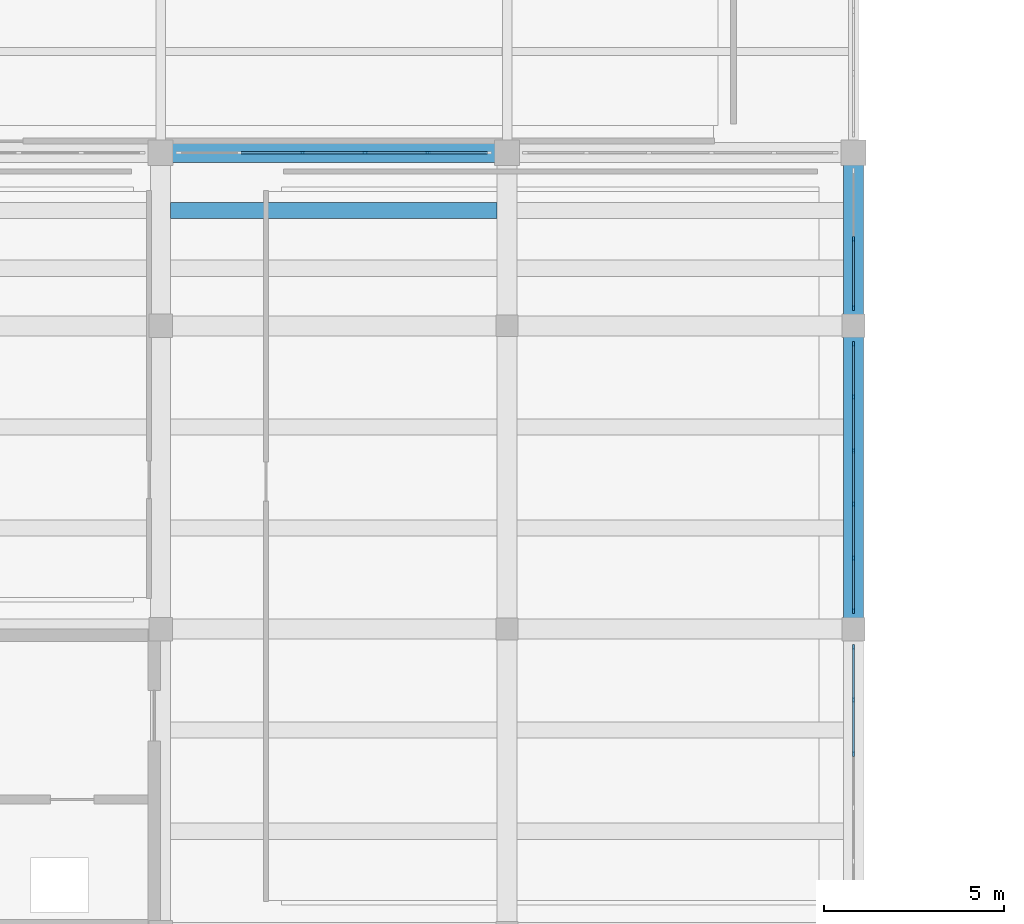
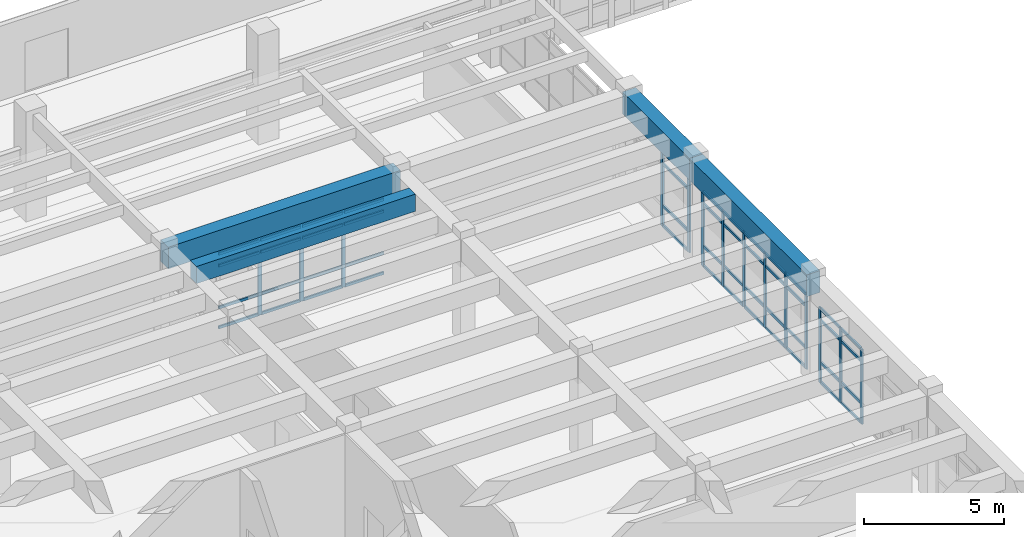
# One storey, part 21 of 86: 62 members, 4 beams, 4 elements without a shape of their own.
"""IFC4 building model written with IfcOpenShell, lengths in metres."""

from ifc_helpers import new_model, si_unit, direction, frame, origin, origin_2d, place, context, subcontext, project, spatial, rectangle, extrude, material, layer, layer_set, material_profile, profile_set, type_object, element, aggregate, save


model = new_model("IFC4")

# Units and contexts
model_context = context("Model", 3, precision=1e-05, world=origin(), true_north=direction((0.0, 1.0)))
body_context = subcontext(model_context, "Body", "Model", "MODEL_VIEW")
ifc_project = project(units=[si_unit("LENGTHUNIT", "METRE"), si_unit("AREAUNIT", "SQUARE_METRE"), si_unit("VOLUMEUNIT", "CUBIC_METRE"), si_unit("PLANEANGLEUNIT", "RADIAN"), si_unit("MASSUNIT", "GRAM", prefix="KILO")], contexts=[model_context])

# Site, building, storey
site_placement = place(None, origin())
site = spatial("IfcSite", under=ifc_project, at=site_placement, CompositionType="ELEMENT")
building_placement = place(site_placement, origin())
building = spatial("IfcBuilding", under=site, at=building_placement, Name="Kolvemor Railside Polytechnic", CompositionType="ELEMENT")
storey_placement = place(building_placement, frame((0.0, 0.0, 5.39990234375)))
storey = spatial("IfcBuildingStorey", under=building, at=storey_placement, Name="L01", CompositionType="ELEMENT", Elevation=5.39990234375)

# Beams
ifc_material_1 = material(Name="Concrete C40/50", Category="concrete")
ifc_material_profile_1 = material_profile(ifc_material_1, rectangle(XDim=0.550048828125, YDim=0.949951171875, at=origin_2d()), Name="RC550x950")
ifc_profile_set_1 = profile_set([ifc_material_profile_1], Name="Concrete C40/50")
beam_type_1 = type_object("IfcBeamType", Name="BM-RC-GIRD", PredefinedType="BEAM", material=ifc_profile_set_1)
beam_1_placement = place(storey_placement, frame((28.800048828125, 81.60009765625, 4.005126953125), z_axis=(1.0, 0.0, 0.0), x_axis=(0.0, 1.0, 0.0)))
element("IfcBeam", 1, at=beam_1_placement, inside=storey, type_object=beam_type_1, Name="Primary Girder L02-GX 0606", PredefinedType="BEAM", context=body_context, shape_type="SweptSolid", body=[
    extrude(rectangle(XDim=0.550048828125, YDim=0.949951171875, at=origin_2d()), origin(), (0.0, 0.0, 1.0), 9.599853515625),
])
beam_2_placement = place(storey_placement, frame((48.0, 68.39990234375, 4.005126953125), z_axis=(0.0, 1.0, 0.0), x_axis=(-1.0, 0.0, 0.0)))
element("IfcBeam", 2, at=beam_2_placement, inside=storey, type_object=beam_type_1, Name="Primary Girder L02-GY 0660", PredefinedType="BEAM", context=body_context, shape_type="SweptSolid", body=[
    extrude(rectangle(XDim=0.550048828125, YDim=0.949951171875, at=origin_2d()), origin(), (0.0, 0.0, 1.0), 8.400146484375),
])
beam_3_placement = place(storey_placement, frame((48.0, 76.800048828125, 4.005126953125), z_axis=(0.0, 1.0, 0.0), x_axis=(-1.0, 0.0, 0.0)))
element("IfcBeam", 3, at=beam_3_placement, inside=storey, type_object=beam_type_1, Name="Primary Girder L02-GY 0661", PredefinedType="BEAM", context=body_context, shape_type="SweptSolid", body=[
    extrude(rectangle(XDim=0.550048828125, YDim=0.949951171875, at=origin_2d()), origin(), (0.0, 0.0, 1.0), 4.800048828125),
])
ifc_material_2 = material(Name="Concrete C40/50", Category="concrete")
ifc_material_profile_2 = material_profile(ifc_material_2, rectangle(XDim=0.449951171875, YDim=0.75, at=origin_2d()), Name="RC450x750")
ifc_profile_set_2 = profile_set([ifc_material_profile_2], Name="Concrete C40/50")
beam_type_2 = type_object("IfcBeamType", Name="BM-RC-SEC", PredefinedType="JOIST", material=ifc_profile_set_2)
beam_4_placement = place(storey_placement, frame((29.074951171875, 80.0, 4.10498046875), z_axis=(1.0, 0.0, 0.0), x_axis=(0.0, 1.0, 0.0)))
element("IfcBeam", 4, at=beam_4_placement, inside=storey, type_object=beam_type_2, Name="Floor Joist L02-J0729", PredefinedType="JOIST", context=body_context, shape_type="SweptSolid", body=[
    extrude(rectangle(XDim=0.449951171875, YDim=0.75, at=origin_2d()), origin(), (0.0, 0.0, 1.0), 9.050048828125),
])

# Curtain wall, members
ifc_material_3 = material(Name="Anodised marine aluminium and laminated low-E glass", Category="aluminium")
ifc_layer = layer(ifc_material_3, 0.179931640625, Name="CW-UNIT-STD")
ifc_layer_set = layer_set([ifc_layer], Name="Anodised marine aluminium and laminated low-E glass")
curtain_wall_type = type_object("IfcCurtainWallType", Name="CW-UNIT-STD", PredefinedType="USERDEFINED", material=ifc_layer_set)
curtain_wall_1_placement = place(storey_placement, origin())
curtain_wall_1 = element("IfcCurtainWall", 5, at=curtain_wall_1_placement, inside=storey, type_object=curtain_wall_type, Name="Curtain Wall L01-037", ObjectType="UNITISED CURTAIN WALL", PredefinedType="USERDEFINED")
ifc_material_4 = material(Name="Anodised marine aluminium 6063-T6", Category="aluminium")
ifc_material_profile_3 = material_profile(ifc_material_4, rectangle(XDim=0.06494140625, YDim=0.14990234375, at=origin_2d()), Name="CW-MUL-65x150")
ifc_profile_set_3 = profile_set([ifc_material_profile_3], Name="Anodised marine aluminium 6063-T6")
member_type_1 = type_object("IfcMemberType", Name="CWM-65x150", PredefinedType="MULLION", material=ifc_profile_set_3)
member_1_placement = place(storey_placement, frame((36.197998046875, 81.60009765625, 0.0), z_axis=(0.0, 0.0, 1.0), x_axis=(0.0, -1.0, 0.0)))
member_1 = element("IfcMember", 6, at=member_1_placement, type_object=member_type_1, Name="CW-STD mullion 2", PredefinedType="MULLION", context=body_context, shape_type="SweptSolid", body=[
    extrude(rectangle(XDim=0.06494140625, YDim=0.14990234375, at=origin_2d()), origin(), (0.0, 0.0, 1.0), 3.280029296875),
])
member_2_placement = place(storey_placement, frame((34.466064453125, 81.60009765625, 0.0), z_axis=(0.0, 0.0, 1.0), x_axis=(0.0, -1.0, 0.0)))
member_2 = element("IfcMember", 7, at=member_2_placement, type_object=member_type_1, Name="CW-STD mullion 3", PredefinedType="MULLION", context=body_context, shape_type="SweptSolid", body=[
    extrude(rectangle(XDim=0.06494140625, YDim=0.14990234375, at=origin_2d()), origin(), (0.0, 0.0, 1.0), 3.280029296875),
])
member_3_placement = place(storey_placement, frame((32.73388671875, 81.60009765625, 0.0), z_axis=(0.0, 0.0, 1.0), x_axis=(0.0, -1.0, 0.0)))
member_3 = element("IfcMember", 8, at=member_3_placement, type_object=member_type_1, Name="CW-STD mullion 4", PredefinedType="MULLION", context=body_context, shape_type="SweptSolid", body=[
    extrude(rectangle(XDim=0.06494140625, YDim=0.14990234375, at=origin_2d()), origin(), (0.0, 0.0, 1.0), 3.280029296875),
])

curtain_wall_2_placement = place(storey_placement, origin())
curtain_wall_2 = element("IfcCurtainWall", 9, at=curtain_wall_2_placement, inside=storey, type_object=curtain_wall_type, Name="Curtain Wall L01-076", ObjectType="UNITISED CURTAIN WALL", PredefinedType="USERDEFINED")
member_4_placement = place(storey_placement, frame((48.0, 64.946044921875, 0.0), z_axis=(0.0, 0.0, 1.0), x_axis=(-1.0, 0.0, 0.0)))
member_4 = element("IfcMember", 10, at=member_4_placement, type_object=member_type_1, Name="CW-STD mullion 4", PredefinedType="MULLION", context=body_context, shape_type="SweptSolid", body=[
    extrude(rectangle(XDim=0.06494140625, YDim=0.14990234375, at=origin_2d()), origin(), (0.0, 0.0, 1.0), 3.280029296875),
])
member_5_placement = place(storey_placement, frame((48.0, 66.43798828125, 0.0), z_axis=(0.0, 0.0, 1.0), x_axis=(-1.0, 0.0, 0.0)))
member_5 = element("IfcMember", 11, at=member_5_placement, type_object=member_type_1, Name="CW-STD mullion 5", PredefinedType="MULLION", context=body_context, shape_type="SweptSolid", body=[
    extrude(rectangle(XDim=0.06494140625, YDim=0.14990234375, at=origin_2d()), origin(), (0.0, 0.0, 1.0), 3.280029296875),
])
member_6_placement = place(storey_placement, frame((48.0, 67.8974609375, 0.0), z_axis=(0.0, 0.0, 1.0), x_axis=(-1.0, 0.0, 0.0)))
member_6 = element("IfcMember", 12, at=member_6_placement, type_object=member_type_1, Name="CW-STD mullion 6", PredefinedType="MULLION", context=body_context, shape_type="SweptSolid", body=[
    extrude(rectangle(XDim=0.06494140625, YDim=0.14990234375, at=origin_2d()), origin(), (0.0, 0.0, 1.0), 3.280029296875),
])

curtain_wall_3_placement = place(storey_placement, origin())
curtain_wall_3 = element("IfcCurtainWall", 13, at=curtain_wall_3_placement, inside=storey, type_object=curtain_wall_type, Name="Curtain Wall L01-083", ObjectType="UNITISED CURTAIN WALL", PredefinedType="USERDEFINED")
member_7_placement = place(storey_placement, frame((48.0, 68.902587890625, 0.0), z_axis=(0.0, 0.0, 1.0), x_axis=(-1.0, 0.0, 0.0)))
member_7 = element("IfcMember", 14, at=member_7_placement, type_object=member_type_1, Name="CW-STD mullion 1", PredefinedType="MULLION", context=body_context, shape_type="SweptSolid", body=[
    extrude(rectangle(XDim=0.06494140625, YDim=0.14990234375, at=origin_2d()), origin(), (0.0, 0.0, 1.0), 3.280029296875),
])
member_8_placement = place(storey_placement, frame((48.0, 70.362060546875, 0.0), z_axis=(0.0, 0.0, 1.0), x_axis=(-1.0, 0.0, 0.0)))
member_8 = element("IfcMember", 15, at=member_8_placement, type_object=member_type_1, Name="CW-STD mullion 2", PredefinedType="MULLION", context=body_context, shape_type="SweptSolid", body=[
    extrude(rectangle(XDim=0.06494140625, YDim=0.14990234375, at=origin_2d()), origin(), (0.0, 0.0, 1.0), 3.280029296875),
])
member_9_placement = place(storey_placement, frame((48.0, 71.85400390625, 0.0), z_axis=(0.0, 0.0, 1.0), x_axis=(-1.0, 0.0, 0.0)))
member_9 = element("IfcMember", 16, at=member_9_placement, type_object=member_type_1, Name="CW-STD mullion 3", PredefinedType="MULLION", context=body_context, shape_type="SweptSolid", body=[
    extrude(rectangle(XDim=0.06494140625, YDim=0.14990234375, at=origin_2d()), origin(), (0.0, 0.0, 1.0), 3.280029296875),
])
member_10_placement = place(storey_placement, frame((48.0, 73.345947265625, 0.0), z_axis=(0.0, 0.0, 1.0), x_axis=(-1.0, 0.0, 0.0)))
member_10 = element("IfcMember", 17, at=member_10_placement, type_object=member_type_1, Name="CW-STD mullion 4", PredefinedType="MULLION", context=body_context, shape_type="SweptSolid", body=[
    extrude(rectangle(XDim=0.06494140625, YDim=0.14990234375, at=origin_2d()), origin(), (0.0, 0.0, 1.0), 3.280029296875),
])
member_11_placement = place(storey_placement, frame((48.0, 74.837890625, 0.0), z_axis=(0.0, 0.0, 1.0), x_axis=(-1.0, 0.0, 0.0)))
member_11 = element("IfcMember", 18, at=member_11_placement, type_object=member_type_1, Name="CW-STD mullion 5", PredefinedType="MULLION", context=body_context, shape_type="SweptSolid", body=[
    extrude(rectangle(XDim=0.06494140625, YDim=0.14990234375, at=origin_2d()), origin(), (0.0, 0.0, 1.0), 3.280029296875),
])
member_12_placement = place(storey_placement, frame((48.0, 76.297607421875, 0.0), z_axis=(0.0, 0.0, 1.0), x_axis=(-1.0, 0.0, 0.0)))
member_12 = element("IfcMember", 19, at=member_12_placement, type_object=member_type_1, Name="CW-STD mullion 6", PredefinedType="MULLION", context=body_context, shape_type="SweptSolid", body=[
    extrude(rectangle(XDim=0.06494140625, YDim=0.14990234375, at=origin_2d()), origin(), (0.0, 0.0, 1.0), 3.280029296875),
])

curtain_wall_4_placement = place(storey_placement, origin())
curtain_wall_4 = element("IfcCurtainWall", 20, at=curtain_wall_4_placement, inside=storey, type_object=curtain_wall_type, Name="Curtain Wall L01-090", ObjectType="UNITISED CURTAIN WALL", PredefinedType="USERDEFINED")
member_13_placement = place(storey_placement, frame((48.0, 77.302490234375, 0.0), z_axis=(0.0, 0.0, 1.0), x_axis=(-1.0, 0.0, 0.0)))
member_13 = element("IfcMember", 21, at=member_13_placement, type_object=member_type_1, Name="CW-STD mullion 1", PredefinedType="MULLION", context=body_context, shape_type="SweptSolid", body=[
    extrude(rectangle(XDim=0.06494140625, YDim=0.14990234375, at=origin_2d()), origin(), (0.0, 0.0, 1.0), 3.280029296875),
])
member_14_placement = place(storey_placement, frame((48.0, 79.199951171875, 0.0), z_axis=(0.0, 0.0, 1.0), x_axis=(-1.0, 0.0, 0.0)))
member_14 = element("IfcMember", 22, at=member_14_placement, type_object=member_type_1, Name="CW-STD mullion 2", PredefinedType="MULLION", context=body_context, shape_type="SweptSolid", body=[
    extrude(rectangle(XDim=0.06494140625, YDim=0.14990234375, at=origin_2d()), origin(), (0.0, 0.0, 1.0), 3.280029296875),
])

# Member
ifc_material_5 = material(Name="Anodised marine aluminium 6063-T6", Category="aluminium")
ifc_material_profile_4 = material_profile(ifc_material_5, rectangle(XDim=0.06494140625, YDim=0.1201171875, at=origin_2d()), Name="CW-TRN-65x120")
ifc_profile_set_4 = profile_set([ifc_material_profile_4], Name="Anodised marine aluminium 6063-T6")
member_type_2 = type_object("IfcMemberType", Name="CWT-65x120", PredefinedType="USERDEFINED", material=ifc_profile_set_4)
member_15_placement = place(storey_placement, frame((37.864990234375, 81.60009765625, 0.03271484375), z_axis=(-1.0, 0.0, 0.0), x_axis=(0.0, -1.0, 0.0)))
member_15 = element("IfcMember", 23, at=member_15_placement, type_object=member_type_2, Name="CW-STD transom 1.1", ObjectType="TRANSOM", PredefinedType="USERDEFINED", context=body_context, shape_type="SweptSolid", body=[
    extrude(rectangle(XDim=0.06494140625, YDim=0.1201171875, at=origin_2d()), origin(), (0.0, 0.0, 1.0), 1.634521484375),
])

member_16_placement = place(storey_placement, frame((37.864990234375, 81.60009765625, 0.900146484375), z_axis=(-1.0, 0.0, 0.0), x_axis=(0.0, -1.0, 0.0)))
member_16 = element("IfcMember", 24, at=member_16_placement, type_object=member_type_2, Name="CW-STD transom 1.2", ObjectType="TRANSOM", PredefinedType="USERDEFINED", context=body_context, shape_type="SweptSolid", body=[
    extrude(rectangle(XDim=0.06494140625, YDim=0.1201171875, at=origin_2d()), origin(), (0.0, 0.0, 1.0), 1.634521484375),
])

member_17_placement = place(storey_placement, frame((37.864990234375, 81.60009765625, 2.72998046875), z_axis=(-1.0, 0.0, 0.0), x_axis=(0.0, -1.0, 0.0)))
member_17 = element("IfcMember", 25, at=member_17_placement, type_object=member_type_2, Name="CW-STD transom 1.3", ObjectType="TRANSOM", PredefinedType="USERDEFINED", context=body_context, shape_type="SweptSolid", body=[
    extrude(rectangle(XDim=0.06494140625, YDim=0.1201171875, at=origin_2d()), origin(), (0.0, 0.0, 1.0), 1.634521484375),
])

member_18_placement = place(storey_placement, frame((37.864990234375, 81.60009765625, 3.24755859375), z_axis=(-1.0, 0.0, 0.0), x_axis=(0.0, -1.0, 0.0)))
member_18 = element("IfcMember", 26, at=member_18_placement, type_object=member_type_2, Name="CW-STD transom 1.4", ObjectType="TRANSOM", PredefinedType="USERDEFINED", context=body_context, shape_type="SweptSolid", body=[
    extrude(rectangle(XDim=0.06494140625, YDim=0.1201171875, at=origin_2d()), origin(), (0.0, 0.0, 1.0), 1.634521484375),
])

member_19_placement = place(storey_placement, frame((36.16552734375, 81.60009765625, 0.03271484375), z_axis=(-1.0, 0.0, 0.0), x_axis=(0.0, -1.0, 0.0)))
member_19 = element("IfcMember", 27, at=member_19_placement, type_object=member_type_2, Name="CW-STD transom 2.1", ObjectType="TRANSOM", PredefinedType="USERDEFINED", context=body_context, shape_type="SweptSolid", body=[
    extrude(rectangle(XDim=0.06494140625, YDim=0.1201171875, at=origin_2d()), origin(), (0.0, 0.0, 1.0), 1.6669921875),
])

member_20_placement = place(storey_placement, frame((36.16552734375, 81.60009765625, 0.900146484375), z_axis=(-1.0, 0.0, 0.0), x_axis=(0.0, -1.0, 0.0)))
member_20 = element("IfcMember", 28, at=member_20_placement, type_object=member_type_2, Name="CW-STD transom 2.2", ObjectType="TRANSOM", PredefinedType="USERDEFINED", context=body_context, shape_type="SweptSolid", body=[
    extrude(rectangle(XDim=0.06494140625, YDim=0.1201171875, at=origin_2d()), origin(), (0.0, 0.0, 1.0), 1.6669921875),
])

member_21_placement = place(storey_placement, frame((36.16552734375, 81.60009765625, 2.72998046875), z_axis=(-1.0, 0.0, 0.0), x_axis=(0.0, -1.0, 0.0)))
member_21 = element("IfcMember", 29, at=member_21_placement, type_object=member_type_2, Name="CW-STD transom 2.3", ObjectType="TRANSOM", PredefinedType="USERDEFINED", context=body_context, shape_type="SweptSolid", body=[
    extrude(rectangle(XDim=0.06494140625, YDim=0.1201171875, at=origin_2d()), origin(), (0.0, 0.0, 1.0), 1.6669921875),
])

member_22_placement = place(storey_placement, frame((36.16552734375, 81.60009765625, 3.24755859375), z_axis=(-1.0, 0.0, 0.0), x_axis=(0.0, -1.0, 0.0)))
member_22 = element("IfcMember", 30, at=member_22_placement, type_object=member_type_2, Name="CW-STD transom 2.4", ObjectType="TRANSOM", PredefinedType="USERDEFINED", context=body_context, shape_type="SweptSolid", body=[
    extrude(rectangle(XDim=0.06494140625, YDim=0.1201171875, at=origin_2d()), origin(), (0.0, 0.0, 1.0), 1.6669921875),
])

member_23_placement = place(storey_placement, frame((34.43359375, 81.60009765625, 0.03271484375), z_axis=(-1.0, 0.0, 0.0), x_axis=(0.0, -1.0, 0.0)))
member_23 = element("IfcMember", 31, at=member_23_placement, type_object=member_type_2, Name="CW-STD transom 3.1", ObjectType="TRANSOM", PredefinedType="USERDEFINED", context=body_context, shape_type="SweptSolid", body=[
    extrude(rectangle(XDim=0.06494140625, YDim=0.1201171875, at=origin_2d()), origin(), (0.0, 0.0, 1.0), 1.6669921875),
])

member_24_placement = place(storey_placement, frame((34.43359375, 81.60009765625, 0.900146484375), z_axis=(-1.0, 0.0, 0.0), x_axis=(0.0, -1.0, 0.0)))
member_24 = element("IfcMember", 32, at=member_24_placement, type_object=member_type_2, Name="CW-STD transom 3.2", ObjectType="TRANSOM", PredefinedType="USERDEFINED", context=body_context, shape_type="SweptSolid", body=[
    extrude(rectangle(XDim=0.06494140625, YDim=0.1201171875, at=origin_2d()), origin(), (0.0, 0.0, 1.0), 1.6669921875),
])

member_25_placement = place(storey_placement, frame((34.43359375, 81.60009765625, 2.72998046875), z_axis=(-1.0, 0.0, 0.0), x_axis=(0.0, -1.0, 0.0)))
member_25 = element("IfcMember", 33, at=member_25_placement, type_object=member_type_2, Name="CW-STD transom 3.3", ObjectType="TRANSOM", PredefinedType="USERDEFINED", context=body_context, shape_type="SweptSolid", body=[
    extrude(rectangle(XDim=0.06494140625, YDim=0.1201171875, at=origin_2d()), origin(), (0.0, 0.0, 1.0), 1.6669921875),
])

member_26_placement = place(storey_placement, frame((34.43359375, 81.60009765625, 3.24755859375), z_axis=(-1.0, 0.0, 0.0), x_axis=(0.0, -1.0, 0.0)))
member_26 = element("IfcMember", 34, at=member_26_placement, type_object=member_type_2, Name="CW-STD transom 3.4", ObjectType="TRANSOM", PredefinedType="USERDEFINED", context=body_context, shape_type="SweptSolid", body=[
    extrude(rectangle(XDim=0.06494140625, YDim=0.1201171875, at=origin_2d()), origin(), (0.0, 0.0, 1.0), 1.6669921875),
])

member_27_placement = place(storey_placement, frame((32.701416015625, 81.60009765625, 0.03271484375), z_axis=(-1.0, 0.0, 0.0), x_axis=(0.0, -1.0, 0.0)))
member_27 = element("IfcMember", 35, at=member_27_placement, type_object=member_type_2, Name="CW-STD transom 4.1", ObjectType="TRANSOM", PredefinedType="USERDEFINED", context=body_context, shape_type="SweptSolid", body=[
    extrude(rectangle(XDim=0.06494140625, YDim=0.1201171875, at=origin_2d()), origin(), (0.0, 0.0, 1.0), 1.6669921875),
])

member_28_placement = place(storey_placement, frame((32.701416015625, 81.60009765625, 0.900146484375), z_axis=(-1.0, 0.0, 0.0), x_axis=(0.0, -1.0, 0.0)))
member_28 = element("IfcMember", 36, at=member_28_placement, type_object=member_type_2, Name="CW-STD transom 4.2", ObjectType="TRANSOM", PredefinedType="USERDEFINED", context=body_context, shape_type="SweptSolid", body=[
    extrude(rectangle(XDim=0.06494140625, YDim=0.1201171875, at=origin_2d()), origin(), (0.0, 0.0, 1.0), 1.6669921875),
])

member_29_placement = place(storey_placement, frame((32.701416015625, 81.60009765625, 2.72998046875), z_axis=(-1.0, 0.0, 0.0), x_axis=(0.0, -1.0, 0.0)))
member_29 = element("IfcMember", 37, at=member_29_placement, type_object=member_type_2, Name="CW-STD transom 4.3", ObjectType="TRANSOM", PredefinedType="USERDEFINED", context=body_context, shape_type="SweptSolid", body=[
    extrude(rectangle(XDim=0.06494140625, YDim=0.1201171875, at=origin_2d()), origin(), (0.0, 0.0, 1.0), 1.6669921875),
])

member_30_placement = place(storey_placement, frame((32.701416015625, 81.60009765625, 3.24755859375), z_axis=(-1.0, 0.0, 0.0), x_axis=(0.0, -1.0, 0.0)))
member_30 = element("IfcMember", 38, at=member_30_placement, type_object=member_type_2, Name="CW-STD transom 4.4", ObjectType="TRANSOM", PredefinedType="USERDEFINED", context=body_context, shape_type="SweptSolid", body=[
    extrude(rectangle(XDim=0.06494140625, YDim=0.1201171875, at=origin_2d()), origin(), (0.0, 0.0, 1.0), 1.6669921875),
])

aggregate(curtain_wall_1, [member_1, member_2, member_3, member_15, member_16, member_17, member_18, member_19, member_20, member_21, member_22, member_23, member_24, member_25, member_26, member_27, member_28, member_29, member_30])

member_31_placement = place(storey_placement, frame((48.0, 64.978515625, 0.03271484375), z_axis=(0.0, 1.0, 0.0), x_axis=(-1.0, 0.0, 0.0)))
member_31 = element("IfcMember", 39, at=member_31_placement, type_object=member_type_2, Name="CW-STD transom 4.1", ObjectType="TRANSOM", PredefinedType="USERDEFINED", context=body_context, shape_type="SweptSolid", body=[
    extrude(rectangle(XDim=0.06494140625, YDim=0.1201171875, at=origin_2d()), origin(), (0.0, 0.0, 1.0), 1.427001953125),
])

member_32_placement = place(storey_placement, frame((48.0, 64.978515625, 0.900146484375), z_axis=(0.0, 1.0, 0.0), x_axis=(-1.0, 0.0, 0.0)))
member_32 = element("IfcMember", 40, at=member_32_placement, type_object=member_type_2, Name="CW-STD transom 4.2", ObjectType="TRANSOM", PredefinedType="USERDEFINED", context=body_context, shape_type="SweptSolid", body=[
    extrude(rectangle(XDim=0.06494140625, YDim=0.1201171875, at=origin_2d()), origin(), (0.0, 0.0, 1.0), 1.427001953125),
])

member_33_placement = place(storey_placement, frame((48.0, 64.978515625, 2.72998046875), z_axis=(0.0, 1.0, 0.0), x_axis=(-1.0, 0.0, 0.0)))
member_33 = element("IfcMember", 41, at=member_33_placement, type_object=member_type_2, Name="CW-STD transom 4.3", ObjectType="TRANSOM", PredefinedType="USERDEFINED", context=body_context, shape_type="SweptSolid", body=[
    extrude(rectangle(XDim=0.06494140625, YDim=0.1201171875, at=origin_2d()), origin(), (0.0, 0.0, 1.0), 1.427001953125),
])

member_34_placement = place(storey_placement, frame((48.0, 64.978515625, 3.24755859375), z_axis=(0.0, 1.0, 0.0), x_axis=(-1.0, 0.0, 0.0)))
member_34 = element("IfcMember", 42, at=member_34_placement, type_object=member_type_2, Name="CW-STD transom 4.4", ObjectType="TRANSOM", PredefinedType="USERDEFINED", context=body_context, shape_type="SweptSolid", body=[
    extrude(rectangle(XDim=0.06494140625, YDim=0.1201171875, at=origin_2d()), origin(), (0.0, 0.0, 1.0), 1.427001953125),
])

member_35_placement = place(storey_placement, frame((48.0, 66.470458984375, 0.03271484375), z_axis=(0.0, 1.0, 0.0), x_axis=(-1.0, 0.0, 0.0)))
member_35 = element("IfcMember", 43, at=member_35_placement, type_object=member_type_2, Name="CW-STD transom 5.1", ObjectType="TRANSOM", PredefinedType="USERDEFINED", context=body_context, shape_type="SweptSolid", body=[
    extrude(rectangle(XDim=0.06494140625, YDim=0.1201171875, at=origin_2d()), origin(), (0.0, 0.0, 1.0), 1.39453125),
])

member_36_placement = place(storey_placement, frame((48.0, 66.470458984375, 0.900146484375), z_axis=(0.0, 1.0, 0.0), x_axis=(-1.0, 0.0, 0.0)))
member_36 = element("IfcMember", 44, at=member_36_placement, type_object=member_type_2, Name="CW-STD transom 5.2", ObjectType="TRANSOM", PredefinedType="USERDEFINED", context=body_context, shape_type="SweptSolid", body=[
    extrude(rectangle(XDim=0.06494140625, YDim=0.1201171875, at=origin_2d()), origin(), (0.0, 0.0, 1.0), 1.39453125),
])

member_37_placement = place(storey_placement, frame((48.0, 66.470458984375, 2.72998046875), z_axis=(0.0, 1.0, 0.0), x_axis=(-1.0, 0.0, 0.0)))
member_37 = element("IfcMember", 45, at=member_37_placement, type_object=member_type_2, Name="CW-STD transom 5.3", ObjectType="TRANSOM", PredefinedType="USERDEFINED", context=body_context, shape_type="SweptSolid", body=[
    extrude(rectangle(XDim=0.06494140625, YDim=0.1201171875, at=origin_2d()), origin(), (0.0, 0.0, 1.0), 1.39453125),
])

member_38_placement = place(storey_placement, frame((48.0, 66.470458984375, 3.24755859375), z_axis=(0.0, 1.0, 0.0), x_axis=(-1.0, 0.0, 0.0)))
member_38 = element("IfcMember", 46, at=member_38_placement, type_object=member_type_2, Name="CW-STD transom 5.4", ObjectType="TRANSOM", PredefinedType="USERDEFINED", context=body_context, shape_type="SweptSolid", body=[
    extrude(rectangle(XDim=0.06494140625, YDim=0.1201171875, at=origin_2d()), origin(), (0.0, 0.0, 1.0), 1.39453125),
])

aggregate(curtain_wall_2, [member_4, member_5, member_6, member_31, member_32, member_33, member_34, member_35, member_36, member_37, member_38])

member_39_placement = place(storey_placement, frame((48.0, 68.93505859375, 0.03271484375), z_axis=(0.0, 1.0, 0.0), x_axis=(-1.0, 0.0, 0.0)))
member_39 = element("IfcMember", 47, at=member_39_placement, type_object=member_type_2, Name="CW-STD transom 1.1", ObjectType="TRANSOM", PredefinedType="USERDEFINED", context=body_context, shape_type="SweptSolid", body=[
    extrude(rectangle(XDim=0.06494140625, YDim=0.1201171875, at=origin_2d()), origin(), (0.0, 0.0, 1.0), 1.39453125),
])

member_40_placement = place(storey_placement, frame((48.0, 68.93505859375, 0.900146484375), z_axis=(0.0, 1.0, 0.0), x_axis=(-1.0, 0.0, 0.0)))
member_40 = element("IfcMember", 48, at=member_40_placement, type_object=member_type_2, Name="CW-STD transom 1.2", ObjectType="TRANSOM", PredefinedType="USERDEFINED", context=body_context, shape_type="SweptSolid", body=[
    extrude(rectangle(XDim=0.06494140625, YDim=0.1201171875, at=origin_2d()), origin(), (0.0, 0.0, 1.0), 1.39453125),
])

member_41_placement = place(storey_placement, frame((48.0, 68.93505859375, 2.72998046875), z_axis=(0.0, 1.0, 0.0), x_axis=(-1.0, 0.0, 0.0)))
member_41 = element("IfcMember", 49, at=member_41_placement, type_object=member_type_2, Name="CW-STD transom 1.3", ObjectType="TRANSOM", PredefinedType="USERDEFINED", context=body_context, shape_type="SweptSolid", body=[
    extrude(rectangle(XDim=0.06494140625, YDim=0.1201171875, at=origin_2d()), origin(), (0.0, 0.0, 1.0), 1.39453125),
])

member_42_placement = place(storey_placement, frame((48.0, 68.93505859375, 3.24755859375), z_axis=(0.0, 1.0, 0.0), x_axis=(-1.0, 0.0, 0.0)))
member_42 = element("IfcMember", 50, at=member_42_placement, type_object=member_type_2, Name="CW-STD transom 1.4", ObjectType="TRANSOM", PredefinedType="USERDEFINED", context=body_context, shape_type="SweptSolid", body=[
    extrude(rectangle(XDim=0.06494140625, YDim=0.1201171875, at=origin_2d()), origin(), (0.0, 0.0, 1.0), 1.39453125),
])

member_43_placement = place(storey_placement, frame((48.0, 70.39453125, 0.03271484375), z_axis=(0.0, 1.0, 0.0), x_axis=(-1.0, 0.0, 0.0)))
member_43 = element("IfcMember", 51, at=member_43_placement, type_object=member_type_2, Name="CW-STD transom 2.1", ObjectType="TRANSOM", PredefinedType="USERDEFINED", context=body_context, shape_type="SweptSolid", body=[
    extrude(rectangle(XDim=0.06494140625, YDim=0.1201171875, at=origin_2d()), origin(), (0.0, 0.0, 1.0), 1.427001953125),
])

member_44_placement = place(storey_placement, frame((48.0, 70.39453125, 0.900146484375), z_axis=(0.0, 1.0, 0.0), x_axis=(-1.0, 0.0, 0.0)))
member_44 = element("IfcMember", 52, at=member_44_placement, type_object=member_type_2, Name="CW-STD transom 2.2", ObjectType="TRANSOM", PredefinedType="USERDEFINED", context=body_context, shape_type="SweptSolid", body=[
    extrude(rectangle(XDim=0.06494140625, YDim=0.1201171875, at=origin_2d()), origin(), (0.0, 0.0, 1.0), 1.427001953125),
])

member_45_placement = place(storey_placement, frame((48.0, 70.39453125, 2.72998046875), z_axis=(0.0, 1.0, 0.0), x_axis=(-1.0, 0.0, 0.0)))
member_45 = element("IfcMember", 53, at=member_45_placement, type_object=member_type_2, Name="CW-STD transom 2.3", ObjectType="TRANSOM", PredefinedType="USERDEFINED", context=body_context, shape_type="SweptSolid", body=[
    extrude(rectangle(XDim=0.06494140625, YDim=0.1201171875, at=origin_2d()), origin(), (0.0, 0.0, 1.0), 1.427001953125),
])

member_46_placement = place(storey_placement, frame((48.0, 70.39453125, 3.24755859375), z_axis=(0.0, 1.0, 0.0), x_axis=(-1.0, 0.0, 0.0)))
member_46 = element("IfcMember", 54, at=member_46_placement, type_object=member_type_2, Name="CW-STD transom 2.4", ObjectType="TRANSOM", PredefinedType="USERDEFINED", context=body_context, shape_type="SweptSolid", body=[
    extrude(rectangle(XDim=0.06494140625, YDim=0.1201171875, at=origin_2d()), origin(), (0.0, 0.0, 1.0), 1.427001953125),
])

member_47_placement = place(storey_placement, frame((48.0, 71.886474609375, 0.03271484375), z_axis=(0.0, 1.0, 0.0), x_axis=(-1.0, 0.0, 0.0)))
member_47 = element("IfcMember", 55, at=member_47_placement, type_object=member_type_2, Name="CW-STD transom 3.1", ObjectType="TRANSOM", PredefinedType="USERDEFINED", context=body_context, shape_type="SweptSolid", body=[
    extrude(rectangle(XDim=0.06494140625, YDim=0.1201171875, at=origin_2d()), origin(), (0.0, 0.0, 1.0), 1.427001953125),
])

member_48_placement = place(storey_placement, frame((48.0, 71.886474609375, 0.900146484375), z_axis=(0.0, 1.0, 0.0), x_axis=(-1.0, 0.0, 0.0)))
member_48 = element("IfcMember", 56, at=member_48_placement, type_object=member_type_2, Name="CW-STD transom 3.2", ObjectType="TRANSOM", PredefinedType="USERDEFINED", context=body_context, shape_type="SweptSolid", body=[
    extrude(rectangle(XDim=0.06494140625, YDim=0.1201171875, at=origin_2d()), origin(), (0.0, 0.0, 1.0), 1.427001953125),
])

member_49_placement = place(storey_placement, frame((48.0, 71.886474609375, 2.72998046875), z_axis=(0.0, 1.0, 0.0), x_axis=(-1.0, 0.0, 0.0)))
member_49 = element("IfcMember", 57, at=member_49_placement, type_object=member_type_2, Name="CW-STD transom 3.3", ObjectType="TRANSOM", PredefinedType="USERDEFINED", context=body_context, shape_type="SweptSolid", body=[
    extrude(rectangle(XDim=0.06494140625, YDim=0.1201171875, at=origin_2d()), origin(), (0.0, 0.0, 1.0), 1.427001953125),
])

member_50_placement = place(storey_placement, frame((48.0, 71.886474609375, 3.24755859375), z_axis=(0.0, 1.0, 0.0), x_axis=(-1.0, 0.0, 0.0)))
member_50 = element("IfcMember", 58, at=member_50_placement, type_object=member_type_2, Name="CW-STD transom 3.4", ObjectType="TRANSOM", PredefinedType="USERDEFINED", context=body_context, shape_type="SweptSolid", body=[
    extrude(rectangle(XDim=0.06494140625, YDim=0.1201171875, at=origin_2d()), origin(), (0.0, 0.0, 1.0), 1.427001953125),
])

member_51_placement = place(storey_placement, frame((48.0, 73.37841796875, 0.03271484375), z_axis=(0.0, 1.0, 0.0), x_axis=(-1.0, 0.0, 0.0)))
member_51 = element("IfcMember", 59, at=member_51_placement, type_object=member_type_2, Name="CW-STD transom 4.1", ObjectType="TRANSOM", PredefinedType="USERDEFINED", context=body_context, shape_type="SweptSolid", body=[
    extrude(rectangle(XDim=0.06494140625, YDim=0.1201171875, at=origin_2d()), origin(), (0.0, 0.0, 1.0), 1.427001953125),
])

member_52_placement = place(storey_placement, frame((48.0, 73.37841796875, 0.900146484375), z_axis=(0.0, 1.0, 0.0), x_axis=(-1.0, 0.0, 0.0)))
member_52 = element("IfcMember", 60, at=member_52_placement, type_object=member_type_2, Name="CW-STD transom 4.2", ObjectType="TRANSOM", PredefinedType="USERDEFINED", context=body_context, shape_type="SweptSolid", body=[
    extrude(rectangle(XDim=0.06494140625, YDim=0.1201171875, at=origin_2d()), origin(), (0.0, 0.0, 1.0), 1.427001953125),
])

member_53_placement = place(storey_placement, frame((48.0, 73.37841796875, 2.72998046875), z_axis=(0.0, 1.0, 0.0), x_axis=(-1.0, 0.0, 0.0)))
member_53 = element("IfcMember", 61, at=member_53_placement, type_object=member_type_2, Name="CW-STD transom 4.3", ObjectType="TRANSOM", PredefinedType="USERDEFINED", context=body_context, shape_type="SweptSolid", body=[
    extrude(rectangle(XDim=0.06494140625, YDim=0.1201171875, at=origin_2d()), origin(), (0.0, 0.0, 1.0), 1.427001953125),
])

member_54_placement = place(storey_placement, frame((48.0, 73.37841796875, 3.24755859375), z_axis=(0.0, 1.0, 0.0), x_axis=(-1.0, 0.0, 0.0)))
member_54 = element("IfcMember", 62, at=member_54_placement, type_object=member_type_2, Name="CW-STD transom 4.4", ObjectType="TRANSOM", PredefinedType="USERDEFINED", context=body_context, shape_type="SweptSolid", body=[
    extrude(rectangle(XDim=0.06494140625, YDim=0.1201171875, at=origin_2d()), origin(), (0.0, 0.0, 1.0), 1.427001953125),
])

member_55_placement = place(storey_placement, frame((48.0, 74.87060546875, 0.03271484375), z_axis=(0.0, 1.0, 0.0), x_axis=(-1.0, 0.0, 0.0)))
member_55 = element("IfcMember", 63, at=member_55_placement, type_object=member_type_2, Name="CW-STD transom 5.1", ObjectType="TRANSOM", PredefinedType="USERDEFINED", context=body_context, shape_type="SweptSolid", body=[
    extrude(rectangle(XDim=0.06494140625, YDim=0.1201171875, at=origin_2d()), origin(), (0.0, 0.0, 1.0), 1.394287109375),
])

member_56_placement = place(storey_placement, frame((48.0, 74.87060546875, 0.900146484375), z_axis=(0.0, 1.0, 0.0), x_axis=(-1.0, 0.0, 0.0)))
member_56 = element("IfcMember", 64, at=member_56_placement, type_object=member_type_2, Name="CW-STD transom 5.2", ObjectType="TRANSOM", PredefinedType="USERDEFINED", context=body_context, shape_type="SweptSolid", body=[
    extrude(rectangle(XDim=0.06494140625, YDim=0.1201171875, at=origin_2d()), origin(), (0.0, 0.0, 1.0), 1.394287109375),
])

member_57_placement = place(storey_placement, frame((48.0, 74.87060546875, 2.72998046875), z_axis=(0.0, 1.0, 0.0), x_axis=(-1.0, 0.0, 0.0)))
member_57 = element("IfcMember", 65, at=member_57_placement, type_object=member_type_2, Name="CW-STD transom 5.3", ObjectType="TRANSOM", PredefinedType="USERDEFINED", context=body_context, shape_type="SweptSolid", body=[
    extrude(rectangle(XDim=0.06494140625, YDim=0.1201171875, at=origin_2d()), origin(), (0.0, 0.0, 1.0), 1.394287109375),
])

member_58_placement = place(storey_placement, frame((48.0, 74.87060546875, 3.24755859375), z_axis=(0.0, 1.0, 0.0), x_axis=(-1.0, 0.0, 0.0)))
member_58 = element("IfcMember", 66, at=member_58_placement, type_object=member_type_2, Name="CW-STD transom 5.4", ObjectType="TRANSOM", PredefinedType="USERDEFINED", context=body_context, shape_type="SweptSolid", body=[
    extrude(rectangle(XDim=0.06494140625, YDim=0.1201171875, at=origin_2d()), origin(), (0.0, 0.0, 1.0), 1.394287109375),
])

aggregate(curtain_wall_3, [member_7, member_8, member_9, member_10, member_11, member_12, member_39, member_40, member_41, member_42, member_43, member_44, member_45, member_46, member_47, member_48, member_49, member_50, member_51, member_52, member_53, member_54, member_55, member_56, member_57, member_58])

member_59_placement = place(storey_placement, frame((48.0, 77.3349609375, 0.03271484375), z_axis=(0.0, 1.0, 0.0), x_axis=(-1.0, 0.0, 0.0)))
member_59 = element("IfcMember", 67, at=member_59_placement, type_object=member_type_2, Name="CW-STD transom 1.1", ObjectType="TRANSOM", PredefinedType="USERDEFINED", context=body_context, shape_type="SweptSolid", body=[
    extrude(rectangle(XDim=0.06494140625, YDim=0.1201171875, at=origin_2d()), origin(), (0.0, 0.0, 1.0), 1.83251953125),
])

member_60_placement = place(storey_placement, frame((48.0, 77.3349609375, 0.900146484375), z_axis=(0.0, 1.0, 0.0), x_axis=(-1.0, 0.0, 0.0)))
member_60 = element("IfcMember", 68, at=member_60_placement, type_object=member_type_2, Name="CW-STD transom 1.2", ObjectType="TRANSOM", PredefinedType="USERDEFINED", context=body_context, shape_type="SweptSolid", body=[
    extrude(rectangle(XDim=0.06494140625, YDim=0.1201171875, at=origin_2d()), origin(), (0.0, 0.0, 1.0), 1.83251953125),
])

member_61_placement = place(storey_placement, frame((48.0, 77.3349609375, 2.72998046875), z_axis=(0.0, 1.0, 0.0), x_axis=(-1.0, 0.0, 0.0)))
member_61 = element("IfcMember", 69, at=member_61_placement, type_object=member_type_2, Name="CW-STD transom 1.3", ObjectType="TRANSOM", PredefinedType="USERDEFINED", context=body_context, shape_type="SweptSolid", body=[
    extrude(rectangle(XDim=0.06494140625, YDim=0.1201171875, at=origin_2d()), origin(), (0.0, 0.0, 1.0), 1.83251953125),
])

member_62_placement = place(storey_placement, frame((48.0, 77.3349609375, 3.24755859375), z_axis=(0.0, 1.0, 0.0), x_axis=(-1.0, 0.0, 0.0)))
member_62 = element("IfcMember", 70, at=member_62_placement, type_object=member_type_2, Name="CW-STD transom 1.4", ObjectType="TRANSOM", PredefinedType="USERDEFINED", context=body_context, shape_type="SweptSolid", body=[
    extrude(rectangle(XDim=0.06494140625, YDim=0.1201171875, at=origin_2d()), origin(), (0.0, 0.0, 1.0), 1.83251953125),
])

aggregate(curtain_wall_4, [member_13, member_14, member_59, member_60, member_61, member_62])

save(model, "model.ifc")
